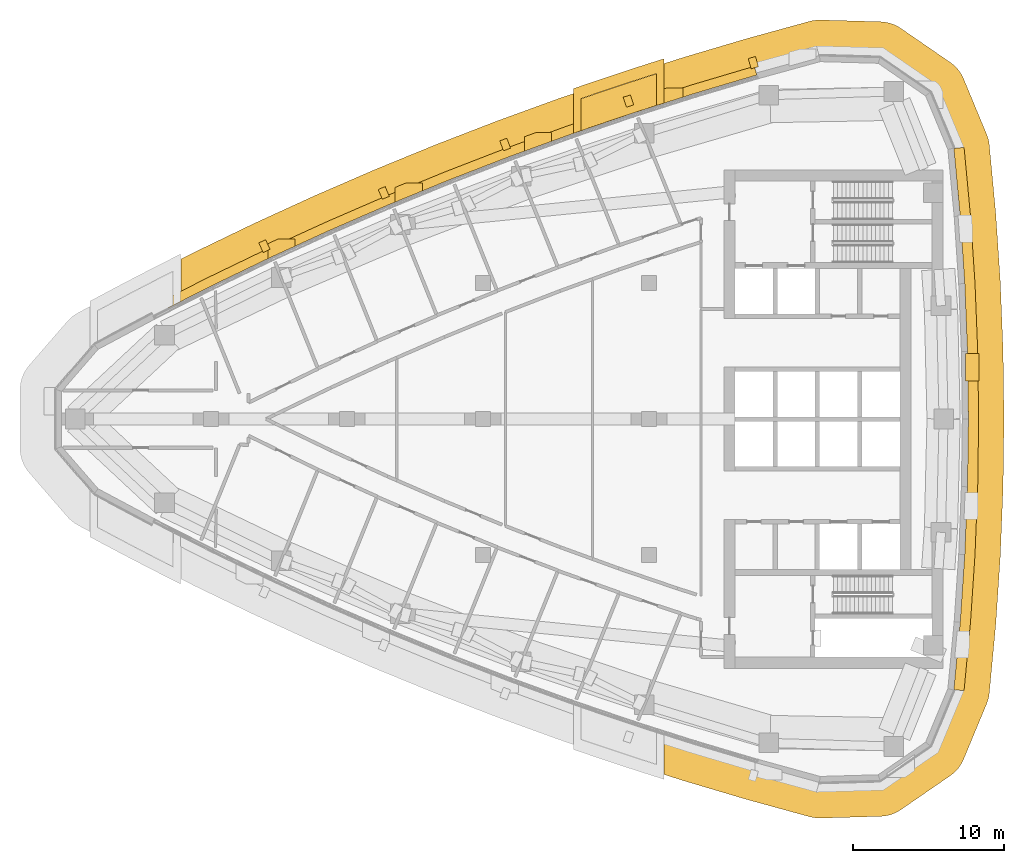
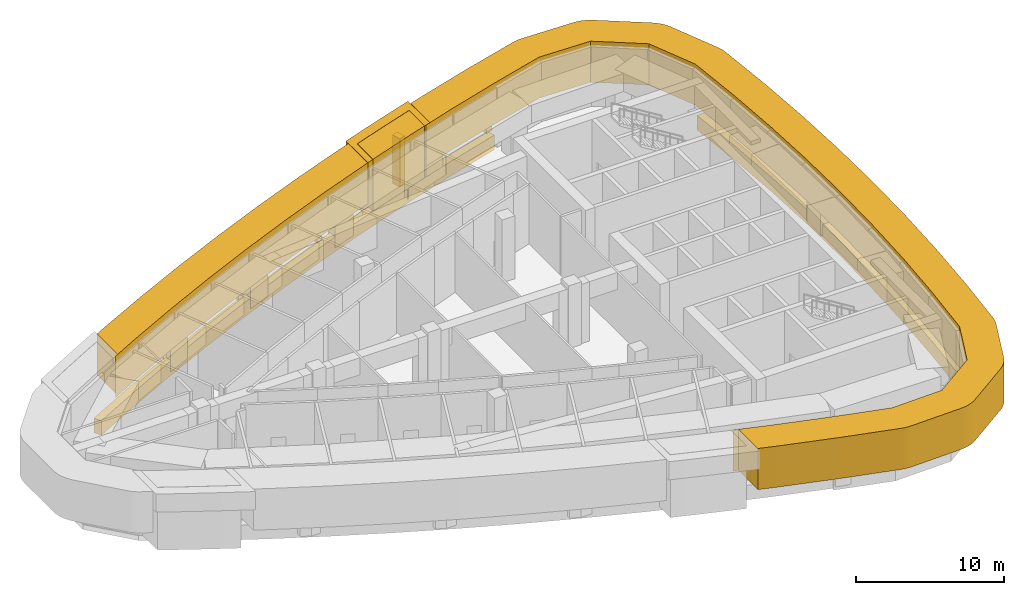
# One storey, part 16 of 17: 16 coverings.
"""IFC4 building model written with IfcOpenShell, lengths in metres."""

import ifcopenshell
import ifcopenshell.guid

model = None  # the IFC model being written
_history = None  # IfcOwnerHistory: only IFC2X3 demands one
_inside = {}  # id of a spatial element -> (the spatial element, [elements in it])
_under = {}  # id of a project, library or spatial element -> (it, [spatial elements below it])
_declared = {}  # id of a project -> (the project, [libraries it declares])
_typed = {}  # id of a type object -> (the type object, [elements of that type])
_made_of = {}  # id of a material, layer set ... -> (it, [elements and type objects made of it])


def new_model(schema):
    """Start an empty IFC model of exactly this schema.

    Asked for "IFC4X3", IfcOpenShell would pick the latest addendum, in which some entities
    have other attributes; the version numbers below select the first issue.
    IFC2X3 requires an IfcOwnerHistory on every rooted entity: one is made here for all.
    """
    global model, _history
    if schema == "IFC4X3":
        model = ifcopenshell.file(schema_version=(4, 3, 0, 0))
    else:
        model = ifcopenshell.file(schema=schema)
    _inside.clear()
    _under.clear()
    _declared.clear()
    _typed.clear()
    _made_of.clear()
    _history = None
    if model.schema == "IFC2X3":
        org = make("IfcOrganization", Name="unknown")
        user = make(
            "IfcPersonAndOrganization",
            ThePerson=make("IfcPerson", FamilyName="unknown"),
            TheOrganization=org,
        )
        app = make(
            "IfcApplication",
            ApplicationDeveloper=org,
            Version="unknown",
            ApplicationFullName="unknown",
            ApplicationIdentifier="unknown",
        )
        _history = make(
            "IfcOwnerHistory",
            OwningUser=user,
            OwningApplication=app,
            ChangeAction="ADDED",
            CreationDate=0,
        )
    return model


def make(cls, **values):
    """One entity of the class cls with the attributes given. An attribute that is None is left unset."""
    return model.create_entity(
        cls, **{name: value for name, value in values.items() if value is not None}
    )


def rooted(cls, **values):
    """An entity with a GlobalId (a new one), such as an element, a storey or a relation."""
    return make(cls, GlobalId=ifcopenshell.guid.new(), OwnerHistory=_history, **values)


def si_unit(unit_type, name, prefix=None):
    """IfcSIUnit, for example si_unit("LENGTHUNIT", "METRE", prefix="MILLI")."""
    return make("IfcSIUnit", UnitType=unit_type, Prefix=prefix, Name=name)


def assignment(units):
    """IfcUnitAssignment: the units of a project."""
    return None if units is None else make("IfcUnitAssignment", Units=units)


def point(xyz):
    """IfcCartesianPoint."""
    return None if xyz is None else make("IfcCartesianPoint", Coordinates=xyz)


def direction(xyz):
    """IfcDirection."""
    return None if xyz is None else make("IfcDirection", DirectionRatios=xyz)


def frame(location, z_axis=None, x_axis=None):
    """IfcAxis2Placement3D, a coordinate frame: its origin and axes. An axis left out is left unset."""
    return make(
        "IfcAxis2Placement3D",
        Location=point(location),
        Axis=direction(z_axis),
        RefDirection=direction(x_axis),
    )


def frame_2d(location, x_axis=None):
    """IfcAxis2Placement2D, a coordinate frame in the plane: its origin and x axis."""
    return make(
        "IfcAxis2Placement2D", Location=point(location), RefDirection=direction(x_axis)
    )


def origin():
    """The frame at (0, 0, 0) with its axes left unset."""
    return frame((0.0, 0.0, 0.0))


def place(relative_to, where):
    """IfcLocalPlacement: puts the frame where relative to a parent placement (None: the world)."""
    return make(
        "IfcLocalPlacement", PlacementRelTo=relative_to, RelativePlacement=where
    )


def context(
    kind, dimensions, precision=None, world=None, true_north=None, identifier=None
):
    """IfcGeometricRepresentationContext, for example the 3D "Model" context."""
    return make(
        "IfcGeometricRepresentationContext",
        ContextIdentifier=identifier,
        ContextType=kind,
        CoordinateSpaceDimension=dimensions,
        Precision=precision,
        WorldCoordinateSystem=world,
        TrueNorth=true_north,
    )


def subcontext(parent, identifier, kind, view, scale=None):
    """IfcGeometricRepresentationSubContext, for example "Body" below "Model"."""
    return make(
        "IfcGeometricRepresentationSubContext",
        ContextIdentifier=identifier,
        ContextType=kind,
        ParentContext=parent,
        TargetScale=scale,
        TargetView=view,
    )


def project(units=None, contexts=None):
    """IfcProject with its units and contexts."""
    return rooted(
        "IfcProject",
        Name="project",
        RepresentationContexts=contexts,
        UnitsInContext=assignment(units),
    )


def spatial(cls, under=None, at=None, **own):
    """A site, building, storey or space (cls), placed at a placement, below another one or the project."""
    s = rooted(cls, ObjectPlacement=at, **own)
    if under is not None:
        _under.setdefault(under.id(), (under, []))[1].append(s)
    return s


def polyline(points):
    """IfcPolyline through the points."""
    return make("IfcPolyline", Points=[point(p) for p in points])


def profile(cls, at=None, kind="AREA", **sizes):
    """A parametric profile (cls). Its sizes go by their IFC names, for example OverallWidth=200.0."""
    return make(cls, ProfileType=kind, Position=at, **sizes)


def rectangle(**sizes):
    """IfcRectangleProfileDef."""
    return profile("IfcRectangleProfileDef", **sizes)


def outline(outer, holes=None, kind="AREA"):
    """IfcArbitraryClosedProfileDef: a profile drawn as a closed curve; with holes, ...WithVoids."""
    if holes is None:
        return make("IfcArbitraryClosedProfileDef", ProfileType=kind, OuterCurve=outer)
    return make(
        "IfcArbitraryProfileDefWithVoids",
        ProfileType=kind,
        OuterCurve=outer,
        InnerCurves=holes,
    )


def extrude(swept, where, along, depth):
    """IfcExtrudedAreaSolid: the profile swept, set in the frame where, extruded along a direction by depth."""
    return make(
        "IfcExtrudedAreaSolid",
        SweptArea=swept,
        Position=where,
        ExtrudedDirection=direction(along),
        Depth=depth,
    )


def shape(context_of_items, identifier, shape_type, items):
    """IfcShapeRepresentation: the items that make up one representation, for example the "Body"."""
    return make(
        "IfcShapeRepresentation",
        ContextOfItems=context_of_items,
        RepresentationIdentifier=identifier,
        RepresentationType=shape_type,
        Items=items,
    )


def material(Name=None, Category=None):
    """IfcMaterial."""
    return make("IfcMaterial", Name=Name, Category=Category)


def layer(
    of_material, thickness, ventilated=None, Name=None, Category=None, Priority=None
):
    """IfcMaterialLayer: one layer of a wall or slab, of a material (None: an air gap)."""
    return make(
        "IfcMaterialLayer",
        Material=of_material,
        LayerThickness=thickness,
        IsVentilated=ventilated,
        Name=Name,
        Category=Category,
        Priority=Priority,
    )


def layer_set(layers, Name=None):
    """IfcMaterialLayerSet."""
    return make("IfcMaterialLayerSet", MaterialLayers=layers, LayerSetName=Name)


def made_of(thing, what):
    """Note that an element or type object is made of a material, layer set ...; save() writes the relation."""
    if what is not None:
        _made_of.setdefault(what.id(), (what, []))[1].append(thing)
    return thing


def type_object(cls, material=None, **own):
    """A type object (cls), such as IfcWallType, which elements share."""
    return made_of(rooted(cls, **own), material)


def element(
    cls,
    number,
    at=None,
    inside=None,
    cuts=None,
    type_object=None,
    material=None,
    context=None,
    identifier="Body",
    shape_type=None,
    held_by="IfcProductDefinitionShape",
    body=None,
    shapes=None,
    **own,
):
    """One element of the class cls, such as IfcWall. Its Tag is "e" and its number.

    at: its placement. inside: the storey or other place that contains it. cuts: it is an
    opening in that element (IfcRelVoidsElement). A single representation is given by context,
    identifier, shape_type and body (its items); several are given by shapes. held_by: the class
    of the entity that holds the representations. save() writes the other relations.
    """
    e = rooted(cls, Tag="e%d" % number, ObjectPlacement=at, **own)
    if body is not None:
        shapes = [shape(context, identifier, shape_type, body)]
    if shapes is not None:
        e.Representation = make(held_by, Representations=shapes)
    if inside is not None:
        _inside.setdefault(inside.id(), (inside, []))[1].append(e)
    if cuts is not None:
        rooted(
            "IfcRelVoidsElement", RelatingBuildingElement=cuts, RelatedOpeningElement=e
        )
    if type_object is not None:
        _typed.setdefault(type_object.id(), (type_object, []))[1].append(e)
    return made_of(e, material)


def aggregate(whole, parts):
    """IfcRelAggregates: a whole, such as a stair, and the parts it consists of."""
    return rooted("IfcRelAggregates", RelatingObject=whole, RelatedObjects=parts)


def save(model, path):
    """Write the relations noted so far, then the file.

    IfcRelAggregates (storeys below a building ...), IfcRelContainedInSpatialStructure (elements
    in a storey), IfcRelDefinesByType, IfcRelAssociatesMaterial and IfcRelDeclares: one each for
    every whole, place, type object, material and project.
    """
    for whole, parts in _under.values():
        aggregate(whole, parts)
    for where, things in _inside.values():
        rooted(
            "IfcRelContainedInSpatialStructure",
            RelatedElements=things,
            RelatingStructure=where,
        )
    for kind, things in _typed.values():
        rooted("IfcRelDefinesByType", RelatedObjects=things, RelatingType=kind)
    for what, things in _made_of.values():
        rooted("IfcRelAssociatesMaterial", RelatedObjects=things, RelatingMaterial=what)
    for by, libraries in _declared.values():
        rooted("IfcRelDeclares", RelatingContext=by, RelatedDefinitions=libraries)
    model.write(path)


model = new_model("IFC4")

# Units and contexts
model_context = context("Model", 3, precision=1e-05, world=origin(), true_north=direction((0.0, 1.0)))
body_context = subcontext(model_context, "Body", "Model", "MODEL_VIEW")
ifc_project = project(units=[si_unit("LENGTHUNIT", "METRE"), si_unit("AREAUNIT", "SQUARE_METRE"), si_unit("VOLUMEUNIT", "CUBIC_METRE"), si_unit("PLANEANGLEUNIT", "RADIAN"), si_unit("MASSUNIT", "GRAM", prefix="KILO")], contexts=[model_context])

# Site, building, storey
site_placement = place(None, origin())
site = spatial("IfcSite", under=ifc_project, at=site_placement, CompositionType="ELEMENT")
building_placement = place(site_placement, origin())
building = spatial("IfcBuilding", under=site, at=building_placement, Name="Ostrand Prow Hotel Tower", CompositionType="ELEMENT")
storey_placement = place(building_placement, frame((0.0, 0.0, 211.0)))
storey = spatial("IfcBuildingStorey", under=building, at=storey_placement, Name="L53", CompositionType="ELEMENT", Elevation=211.0)

# Coverings
ifc_material_1 = material(Name="Limestone cladding", Category="masonry")
ifc_layer_1 = layer(ifc_material_1, 2.0)
ifc_layer_set_1 = layer_set([ifc_layer_1], Name="Limestone cladding")
covering_type_1 = type_object("IfcCoveringType", Name="Belt lip limestone", PredefinedType="CLADDING", material=ifc_layer_set_1)
covering_1_placement = place(storey_placement, frame((0.0, 0.0, 1.800048828125)))
element("IfcCovering", 1, at=covering_1_placement, inside=storey, type_object=covering_type_1, Name="Belt L53 3", PredefinedType="CLADDING", context=body_context, shape_type="SweptSolid", body=[
    extrude(outline(polyline([(14.89208984375, 11.033447265625), (14.010009765625, 10.58544921875), (14.010009765625, 7.788818359375), (14.010009765625, 7.787841796875), (14.009765625, 7.786865234375), (14.009521484375, 7.785888671875), (14.00927734375, 7.784912109375), (14.0087890625, 7.7841796875), (14.00830078125, 7.783203125), (14.0078125, 7.782470703125), (14.007080078125, 7.78173828125), (14.006103515625, 7.781005859375), (14.00537109375, 7.780517578125), (14.004638671875, 7.780029296875), (13.773193359375, 7.66162109375), (16.023681640625, 8.80419921875), (19.90380859375, 10.676513671875), (23.821044921875, 12.470458984375), (27.773193359375, 14.185302734375), (31.759521484375, 15.820068359375), (35.777587890625, 17.374267578125), (39.826171875, 18.84716796875), (39.9912109375, 18.903564453125), (39.9912109375, 18.903564453125), (39.99072265625, 18.904541015625), (39.990478515625, 18.905517578125), (39.990234375, 18.906494140625), (39.989990234375, 18.907470703125), (39.989990234375, 18.908447265625), (39.989990234375, 21.544677734375), (39.018798828125, 21.21337890625), (38.971435546875, 21.196533203125), (34.9228515625, 19.7236328125), (34.875732421875, 19.705810546875), (30.857421875, 18.151611328125), (30.810791015625, 18.133056640625), (26.82470703125, 16.498291015625), (26.7783203125, 16.478759765625), (22.825927734375, 14.763916015625), (22.780029296875, 14.743408203125), (18.863037109375, 12.94970703125), (18.8173828125, 12.927978515625), (14.937255859375, 11.0556640625), (14.89208984375, 11.033447265625)])), origin(), (0.0, 0.0, 1.0), 3.39990234375),
])
covering_2_placement = place(storey_placement, frame((0.0, 0.0, 1.800048828125)))
element("IfcCovering", 2, at=covering_2_placement, inside=storey, type_object=covering_type_1, Name="Belt L53 4", PredefinedType="CLADDING", context=body_context, shape_type="SweptSolid", body=[
    extrude(outline(polyline([(47.248779296875, 23.92919921875), (46.010009765625, 23.533935546875), (46.010009765625, 20.918212890625), (46.010009765625, 20.917236328125), (46.009765625, 20.916259765625), (46.009521484375, 20.915283203125), (46.00927734375, 20.914306640625), (46.0087890625, 20.91357421875), (46.00830078125, 20.91259765625), (46.0078125, 20.911865234375), (46.007080078125, 20.9111328125), (46.00634765625, 20.91064453125), (46.005615234375, 20.909912109375), (46.0048828125, 20.909423828125), (46.00390625, 20.908935546875), (46.003173828125, 20.90869140625), (45.644287109375, 20.79345703125), (48.00830078125, 21.547119140625), (52.138427734375, 22.773193359375), (56.29248046875, 23.91552734375), (60.25390625, 23.802001953125), (63.518798828125, 21.555419921875), (65.040771484375, 17.896240234375), (65.460205078125, 13.433349609375), (65.760009765625, 8.9609375), (65.93994140625, 4.482177734375), (66.0, 0.0), (65.93994140625, -4.482177734375), (65.760009765625, -8.9609375), (65.460205078125, -13.433349609375), (65.040771484375, -17.896240234375), (63.518798828125, -21.555419921875), (60.25390625, -23.802001953125), (56.29248046875, -23.91552734375), (52.138427734375, -22.773193359375), (48.00830078125, -21.547119140625), (45.644287109375, -20.79345703125), (46.003173828125, -20.90869140625), (46.00390625, -20.908935546875), (46.0048828125, -20.909423828125), (46.005615234375, -20.909912109375), (46.00634765625, -20.91064453125), (46.007080078125, -20.9111328125), (46.0078125, -20.911865234375), (46.00830078125, -20.91259765625), (46.0087890625, -20.91357421875), (46.00927734375, -20.914306640625), (46.009521484375, -20.915283203125), (46.009765625, -20.916259765625), (46.010009765625, -20.917236328125), (46.010009765625, -20.918212890625), (46.010009765625, -23.533935546875), (47.248779296875, -23.92919921875), (47.297119140625, -23.94384765625), (51.42724609375, -25.169921875), (51.4755859375, -25.18359375), (55.629638671875, -26.326171875), (55.87109375, -26.3798828125), (56.11669921875, -26.409423828125), (56.3642578125, -26.41455078125), (60.32568359375, -26.301025390625), (60.564208984375, -26.28271484375), (60.799560546875, -26.24169921875), (61.0302734375, -26.178466796875), (61.253662109375, -26.093505859375), (61.468017578125, -25.987548828125), (61.671142578125, -25.861572265625), (64.93603515625, -23.614990234375), (65.126220703125, -23.47021484375), (65.302001953125, -23.307861328125), (65.461181640625, -23.129638671875), (65.6025390625, -22.93701171875), (65.72509765625, -22.7314453125), (65.827392578125, -22.515380859375), (67.34912109375, -18.856201171875), (67.433349609375, -18.62060546875), (67.493896484375, -18.377685546875), (67.52978515625, -18.130126953125), (67.94921875, -13.667236328125), (67.95458984375, -13.6005859375), (68.25439453125, -9.128173828125), (68.258056640625, -9.061279296875), (68.43798828125, -4.58251953125), (68.439697265625, -4.515380859375), (68.499755859375, -0.033447265625), (68.499755859375, 0.033447265625), (68.439697265625, 4.515380859375), (68.43798828125, 4.58251953125), (68.258056640625, 9.061279296875), (68.25439453125, 9.128173828125), (67.95458984375, 13.6005859375), (67.94921875, 13.667236328125), (67.52978515625, 18.130126953125), (67.493896484375, 18.377685546875), (67.433349609375, 18.62060546875), (67.34912109375, 18.856201171875), (65.827392578125, 22.515380859375), (65.72509765625, 22.7314453125), (65.6025390625, 22.93701171875), (65.461181640625, 23.129638671875), (65.302001953125, 23.307861328125), (65.126220703125, 23.47021484375), (64.93603515625, 23.614990234375), (61.671142578125, 25.861572265625), (61.468017578125, 25.987548828125), (61.253662109375, 26.093505859375), (61.0302734375, 26.178466796875), (60.799560546875, 26.24169921875), (60.564208984375, 26.28271484375), (60.32568359375, 26.301025390625), (56.3642578125, 26.41455078125), (56.11669921875, 26.409423828125), (55.87109375, 26.3798828125), (55.629638671875, 26.326171875), (51.4755859375, 25.18359375), (51.42724609375, 25.169921875), (47.297119140625, 23.94384765625), (47.248779296875, 23.92919921875)])), origin(), (0.0, 0.0, 1.0), 3.39990234375),
])
covering_3_placement = place(storey_placement, origin())
element("IfcCovering", 3, at=covering_3_placement, inside=storey, type_object=covering_type_1, Name="Belt fin 11 L53", PredefinedType="CLADDING", context=body_context, shape_type="SweptSolid", body=[
    extrude(outline(polyline([(66.854248046875, 3.427978515625), (66.84228515625, 4.322021484375), (65.942138671875, 4.322021484375), (65.96630859375, 2.522216796875), (66.854248046875, 2.522216796875), (66.854248046875, 3.427978515625)])), origin(), (0.0, 0.0, 1.0), 1.800048828125),
])
covering_4_placement = place(storey_placement, origin())
element("IfcCovering", 4, at=covering_4_placement, inside=storey, type_object=covering_type_1, Name="Belt fin 15 L53", PredefinedType="CLADDING", context=body_context, shape_type="SweptSolid", body=[
    extrude(outline(polyline([(45.644287109375, 20.79345703125), (47.252685546875, 21.306396484375), (47.252685546875, 21.919189453125), (46.212646484375, 21.919189453125), (46.010009765625, 21.854736328125), (46.010009765625, 20.918212890625), (46.010009765625, 20.917236328125), (46.009765625, 20.916259765625), (46.009521484375, 20.915283203125), (46.00927734375, 20.914306640625), (46.0087890625, 20.91357421875), (46.00830078125, 20.91259765625), (46.0078125, 20.911865234375), (46.007080078125, 20.9111328125), (46.00634765625, 20.91064453125), (46.005615234375, 20.909912109375), (46.0048828125, 20.909423828125), (46.00390625, 20.908935546875), (46.003173828125, 20.90869140625), (45.644287109375, 20.79345703125)])), origin(), (0.0, 0.0, 1.0), 1.800048828125),
])
covering_5_placement = place(storey_placement, origin())
element("IfcCovering", 5, at=covering_5_placement, inside=storey, type_object=covering_type_1, Name="Belt fin 16 L53", PredefinedType="CLADDING", context=body_context, shape_type="SweptSolid", body=[
    extrude(outline(polyline([(37.497802734375, 18.957763671875), (36.75634765625, 18.68798828125), (36.75634765625, 17.73046875), (38.556396484375, 18.38525390625), (38.556396484375, 18.957763671875), (37.497802734375, 18.957763671875)])), origin(), (0.0, 0.0, 1.0), 1.800048828125),
])
covering_6_placement = place(storey_placement, origin())
element("IfcCovering", 6, at=covering_6_placement, inside=storey, type_object=covering_type_1, Name="Belt fin 17 L53", PredefinedType="CLADDING", context=body_context, shape_type="SweptSolid", body=[
    extrude(outline(polyline([(28.917236328125, 15.627197265625), (28.194580078125, 15.330810546875), (28.194580078125, 14.35791015625), (29.99462890625, 15.09619140625), (29.99462890625, 15.627197265625), (28.917236328125, 15.627197265625)])), origin(), (0.0, 0.0, 1.0), 1.800048828125),
])
covering_7_placement = place(storey_placement, origin())
element("IfcCovering", 7, at=covering_7_placement, inside=storey, type_object=covering_type_1, Name="Belt fin 18 L53", PredefinedType="CLADDING", context=body_context, shape_type="SweptSolid", body=[
    extrude(outline(polyline([(20.48681640625, 11.933349609375), (19.782958984375, 11.611083984375), (19.782958984375, 10.6181640625), (19.90380859375, 10.676513671875), (21.5830078125, 11.445556640625), (21.5830078125, 11.933349609375), (20.48681640625, 11.933349609375)])), origin(), (0.0, 0.0, 1.0), 1.800048828125),
])
ifc_material_2 = material(Name="Bronze anodised aluminium cladding", Category="aluminium")
ifc_layer_2 = layer(ifc_material_2, 0.60009765625)
ifc_layer_set_2 = layer_set([ifc_layer_2], Name="Bronze anodised aluminium cladding")
covering_type_2 = type_object("IfcCoveringType", Name="Bronze spandrel band 1200x600", PredefinedType="CLADDING", material=ifc_layer_set_2)
covering_8_placement = place(storey_placement, frame((0.0, 0.0, -0.300048828125)))
element("IfcCovering", 8, at=covering_8_placement, inside=storey, type_object=covering_type_2, Name="Spandrel band N1", PredefinedType="CLADDING", context=body_context, shape_type="SweptSolid", body=[
    extrude(outline(polyline([(51.9736328125, 23.35009765625), (47.831787109375, 22.12060546875), (43.7158203125, 20.80810546875), (39.626708984375, 19.4130859375), (35.566650390625, 17.93603515625), (31.537353515625, 16.37744140625), (27.5400390625, 14.738037109375), (23.57666015625, 13.0185546875), (19.648681640625, 11.219482421875), (15.757568359375, 9.341796875), (11.9052734375, 7.38623046875), (12.18212890625, 6.85400390625), (16.023681640625, 8.80419921875), (19.90380859375, 10.676513671875), (23.821044921875, 12.470458984375), (27.773193359375, 14.185302734375), (31.759521484375, 15.820068359375), (35.777587890625, 17.374267578125), (39.826171875, 18.84716796875), (43.90380859375, 20.23828125), (48.00830078125, 21.547119140625), (52.138427734375, 22.773193359375), (51.9736328125, 23.35009765625)])), origin(), (0.0, 0.0, 1.0), 1.199951171875),
])
covering_9_placement = place(storey_placement, frame((0.0, 0.0, -0.300048828125)))
element("IfcCovering", 9, at=covering_9_placement, inside=storey, type_object=covering_type_2, Name="Spandrel band back 3", PredefinedType="CLADDING", context=body_context, shape_type="SweptSolid", body=[
    extrude(outline(polyline([(65.856201171875, -17.98388671875), (66.27783203125, -13.499267578125), (66.5791015625, -9.0048828125), (66.760009765625, -4.50390625), (66.8203125, 0.0), (66.760009765625, 4.50390625), (66.5791015625, 9.0048828125), (66.27783203125, 13.499267578125), (65.856201171875, 17.98388671875), (65.18017578125, 17.9111328125), (65.60009765625, 13.444580078125), (65.900146484375, 8.968505859375), (66.080078125, 4.48583984375), (66.140380859375, 0.0), (66.080078125, -4.48583984375), (65.900146484375, -8.968505859375), (65.60009765625, -13.444580078125), (65.18017578125, -17.9111328125), (65.856201171875, -17.98388671875)])), origin(), (0.0, 0.0, 1.0), 1.199951171875),
])
ifc_material_3 = material(Name="Limestone cladding", Category="masonry")
ifc_layer_3 = layer(ifc_material_3, 5.0)
ifc_layer_set_3 = layer_set([ifc_layer_3], Name="Limestone cladding")
covering_type_3 = type_object("IfcCoveringType", Name="Portal jamb pilaster limestone", PredefinedType="CLADDING", material=ifc_layer_set_3)
covering_10_placement = place(storey_placement, origin())
element("IfcCovering", 10, at=covering_10_placement, inside=storey, type_object=covering_type_3, Name="Portal jamb NB L53", PredefinedType="CLADDING", context=body_context, shape_type="SweptSolid", body=[
    extrude(outline(polyline([(40.5, 19.08349609375), (41.5, 19.429443359375), (42.5, 19.769775390625), (43.5, 20.104736328125), (44.5, 20.43408203125), (45.5, 20.75830078125), (45.5, 22.85791015625), (44.5, 22.537109375), (43.5, 22.211181640625), (42.5, 21.879638671875), (41.5, 21.542724609375), (40.5, 21.200439453125), (40.5, 19.08349609375)])), origin(), (0.0, 0.0, 1.0), 5.199951171875),
])
ifc_material_4 = material(Name="Limestone cladding", Category="masonry")
ifc_layer_4 = layer(ifc_material_4, 4.0)
ifc_layer_set_4 = layer_set([ifc_layer_4], Name="Limestone cladding")
covering_type_4 = type_object("IfcCoveringType", Name="Portal lintel limestone", PredefinedType="CLADDING", material=ifc_layer_set_4)
covering_11_placement = place(storey_placement, frame((0.0, 0.0, 3.699951171875)))
element("IfcCovering", 11, at=covering_11_placement, inside=storey, type_object=covering_type_4, Name="Portal jamb cap NB L53", PredefinedType="CLADDING", context=body_context, shape_type="SweptSolid", body=[
    extrude(outline(polyline([(40.0, 21.8740234375), (40.0, 18.908447265625), (40.49072265625, 19.07958984375), (40.49072265625, 19.07958984375), (40.490478515625, 19.08056640625), (40.490234375, 19.08154296875), (40.489990234375, 19.08251953125), (40.489990234375, 19.08349609375), (40.489990234375, 21.200439453125), (40.489990234375, 21.201416015625), (40.490234375, 21.202392578125), (40.490478515625, 21.203125), (40.49072265625, 21.2041015625), (40.4912109375, 21.205078125), (40.49169921875, 21.205810546875), (40.4921875, 21.20654296875), (40.492919921875, 21.207275390625), (40.493408203125, 21.2080078125), (40.494140625, 21.20849609375), (40.4951171875, 21.208984375), (40.495849609375, 21.20947265625), (40.496826171875, 21.2099609375), (41.496826171875, 21.55224609375), (41.496826171875, 21.55224609375), (42.496826171875, 21.88916015625), (42.496826171875, 21.88916015625), (43.496826171875, 22.220703125), (43.496826171875, 22.220703125), (44.496826171875, 22.546630859375), (44.496826171875, 22.546875), (45.496826171875, 22.867431640625), (45.497802734375, 22.86767578125), (45.498779296875, 22.867919921875), (45.5, 22.867919921875), (45.5009765625, 22.867919921875), (45.501708984375, 22.867919921875), (45.502685546875, 22.867431640625), (45.503662109375, 22.8671875), (45.504638671875, 22.86669921875), (45.505615234375, 22.8662109375), (45.50634765625, 22.86572265625), (45.507080078125, 22.864990234375), (45.5078125, 22.8642578125), (45.50830078125, 22.863525390625), (45.5087890625, 22.86279296875), (45.50927734375, 22.86181640625), (45.509521484375, 22.86083984375), (45.509765625, 22.85986328125), (45.510009765625, 22.85888671875), (45.510009765625, 22.85791015625), (45.510009765625, 20.7607421875), (46.0, 20.918212890625), (46.0, 23.85498046875), (45.0, 23.5380859375), (44.0, 23.21630859375), (43.0, 22.888671875), (42.0, 22.555908203125), (41.0, 22.2177734375), (40.0, 21.8740234375)])), origin(), (0.0, 0.0, 1.0), 1.5),
])
ifc_material_5 = material(Name="Limestone cladding", Category="masonry")
ifc_layer_5 = layer(ifc_material_5, 0.5)
ifc_layer_set_5 = layer_set([ifc_layer_5], Name="Limestone cladding")
covering_type_5 = type_object("IfcCoveringType", Name="Precast stone fin 500x600", PredefinedType="CLADDING", material=ifc_layer_set_5)
for number, where, z_axis, x_axis, name in (
    (12, (52.001220703125, 23.25390625, 0.89990234375), (0.0, 0.0, 1.0), (-0.275135611865, 0.96140542701, 0.0), "Stone fin N 1"),
    (13, (43.7470703125, 20.713134765625, 0.89990234375), (0.0, 0.0, 1.0), (-0.313506388498, 0.949586091079, 0.0), "Stone fin N 3"),
    (14, (35.601806640625, 17.84228515625, 0.89990234375), (0.0, 0.0, 1.0), (-0.351161657254, 0.936314845805, 0.0), "Stone fin N 5"),
):
    element("IfcCovering", number, at=place(storey_placement, frame(where, z_axis=z_axis, x_axis=x_axis)), inside=storey, type_object=covering_type_5, Name=name, PredefinedType="CLADDING", context=body_context, shape_type="SweptSolid", body=[
        extrude(rectangle(XDim=0.7001953125, YDim=0.5, at=frame_2d((0.35009765625, 0.0))), origin(), (0.0, 0.0, 1.0), 4.0),
    ])
for number, where, z_axis, x_axis, name in (
    (15, (27.578857421875, 14.64599609375, 0.89990234375), (0.0, 0.0, 1.0), (-0.388524706088, 0.92143830654, 0.0), "Stone fin N 7"),
    (16, (19.691162109375, 11.129150390625, 0.89990234375), (0.0, 0.0, 1.0), (-0.425595424807, 0.904913550779, 0.0), "Stone fin N 9"),
):
    element("IfcCovering", number, at=place(storey_placement, frame(where, z_axis=z_axis, x_axis=x_axis)), inside=storey, type_object=covering_type_5, Name=name, PredefinedType="CLADDING", context=body_context, shape_type="SweptSolid", body=[
        extrude(rectangle(XDim=0.699951171875, YDim=0.5, at=frame_2d((0.35009765625, 0.0))), origin(), (0.0, 0.0, 1.0), 4.0),
    ])

save(model, "model.ifc")
